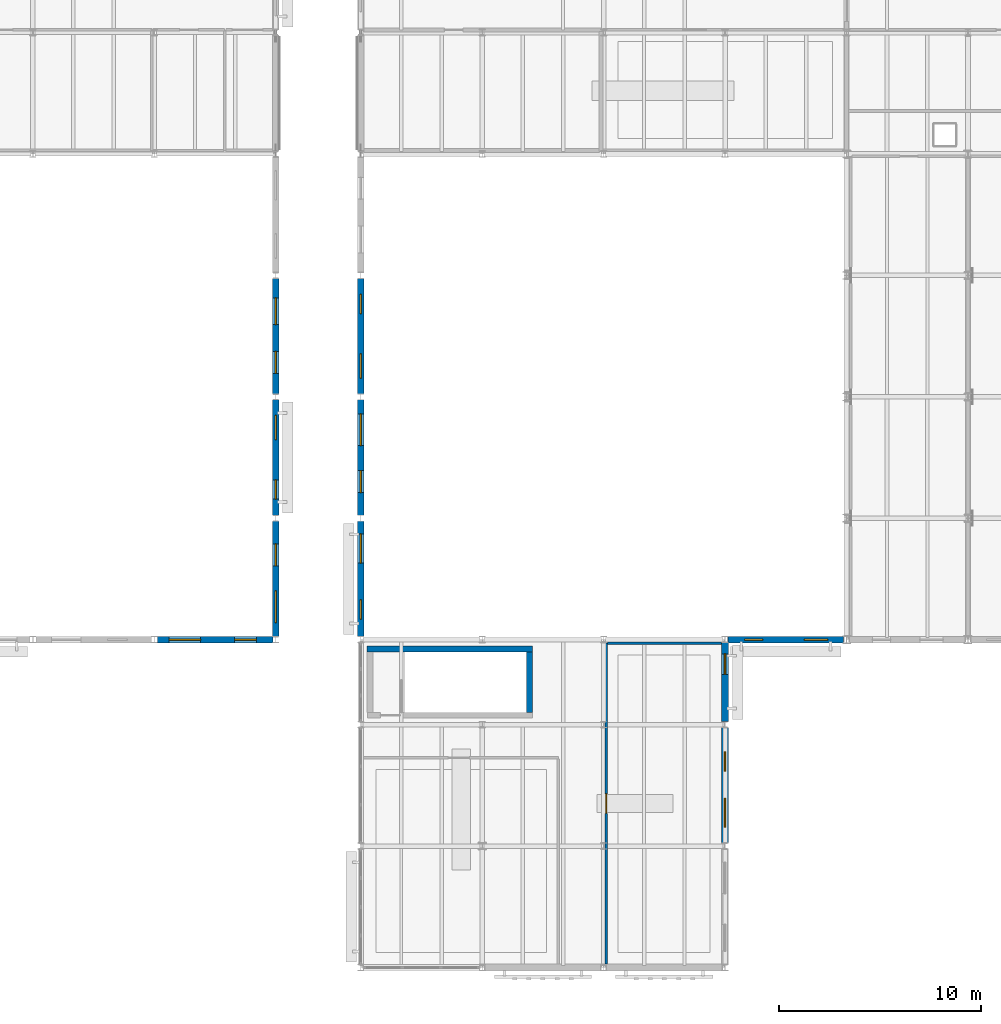
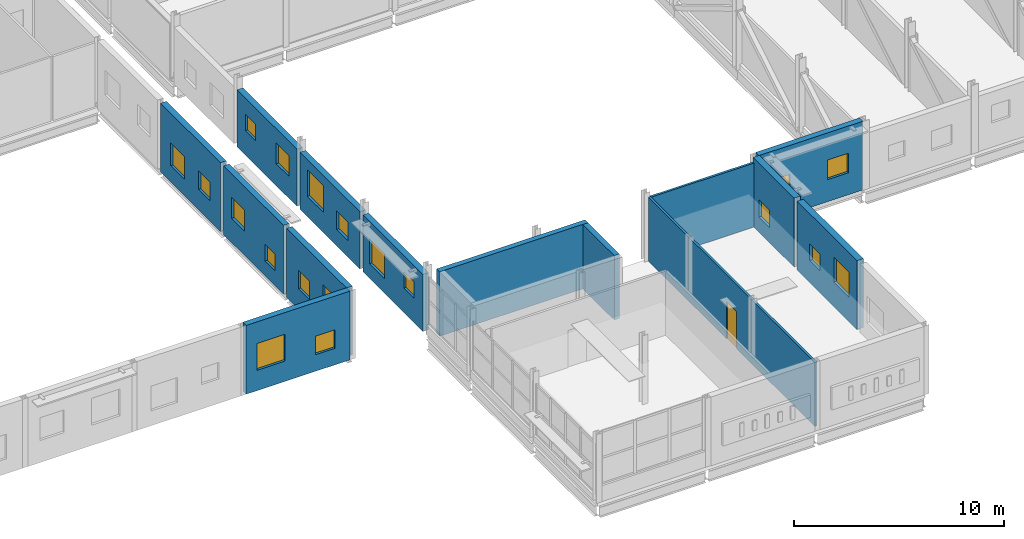
# One storey, part 64 of 92: 19 windows, 14 walls, 1 door, 20 openings.
"""IFC4 building model written with IfcOpenShell, lengths in metres."""

from ifc_helpers import new_model, si_unit, direction, frame, frame_2d, origin, place, context, subcontext, project, spatial, rectangle, extrude, material, layer, layer_set, type_object, element, fill, save


model = new_model("IFC4")

# Units and contexts
model_context = context("Model", 3, precision=1e-05, world=origin(), true_north=direction((0.0, 1.0)))
body_context = subcontext(model_context, "Body", "Model", "MODEL_VIEW")
ifc_project = project(units=[si_unit("LENGTHUNIT", "METRE"), si_unit("AREAUNIT", "SQUARE_METRE"), si_unit("VOLUMEUNIT", "CUBIC_METRE"), si_unit("PLANEANGLEUNIT", "RADIAN"), si_unit("MASSUNIT", "GRAM", prefix="KILO")], contexts=[model_context])

# Site, building, storey
site_placement = place(None, origin())
site = spatial("IfcSite", under=ifc_project, at=site_placement, CompositionType="ELEMENT")
building_placement = place(site_placement, origin())
building = spatial("IfcBuilding", under=site, at=building_placement, Name="Siltcreek Boulevard Central Fire Station", CompositionType="ELEMENT")
storey_placement = place(building_placement, frame((0.0, 0.0, 6.0)))
storey = spatial("IfcBuildingStorey", under=building, at=storey_placement, Name="L02", CompositionType="ELEMENT", Elevation=6.0)

# Walls
ifc_material_1 = material(Name="Concrete C40/50", Category="concrete")
ifc_layer_1 = layer(ifc_material_1, 0.280029296875, Name="Concrete C40/50")
ifc_layer_set_1 = layer_set([ifc_layer_1], Name="Concrete C40/50")
wall_type_1 = type_object("IfcWallType", Name="CW_SHEAR280", PredefinedType="SHEAR", material=ifc_layer_set_1)
wall_1_placement = place(storey_placement, frame((50.47998046875, 17.5400390625, 0.0), z_axis=(0.0, 0.0, 1.0), x_axis=(-1.0, 0.0, 0.0)))
element("IfcWall", 1, at=wall_1_placement, inside=storey, type_object=wall_type_1, Name="L02 ST-V1P stair enclosure north shear wall", PredefinedType="SHEAR", context=body_context, shape_type="SweptSolid", body=[
    extrude(rectangle(XDim=8.159912109375, YDim=0.280029296875, at=frame_2d((4.080078125, 0.0))), origin(), (0.0, 0.0, 1.0), 3.75),
])
wall_2_placement = place(storey_placement, frame((50.340087890625, 14.39990234375, 0.0), z_axis=(0.0, 0.0, 1.0), x_axis=(0.0, 1.0, 0.0)))
element("IfcWall", 2, at=wall_2_placement, inside=storey, type_object=wall_type_1, Name="L02 ST-V1P stair enclosure east shear wall", PredefinedType="SHEAR", context=body_context, shape_type="SweptSolid", body=[
    extrude(rectangle(XDim=3.0, YDim=0.280029296875, at=frame_2d((1.5, 0.0))), origin(), (0.0, 0.0, 1.0), 3.75),
])

# Wall, openings, windows
ifc_material_2 = material(Name="Terracotta brick rainscreen on steel stud", Category="masonry")
ifc_layer_2 = layer(ifc_material_2, 0.35009765625, Name="Terracotta brick rainscreen on steel stud")
ifc_layer_set_2 = layer_set([ifc_layer_2], Name="Terracotta brick rainscreen on steel stud")
wall_type_2 = type_object("IfcWallType", Name="EW_BRICK350", PredefinedType="STANDARD", material=ifc_layer_set_2)
wall_3_placement = place(storey_placement, frame((60.0, 7.945068359375, 0.0), z_axis=(0.0, 0.0, 1.0), x_axis=(0.0, 1.0, 0.0)))
wall_3 = element("IfcWall", 3, at=wall_3_placement, inside=storey, type_object=wall_type_2, Name="L02 V1 exterior insulated rainscreen wall WL-EXT-L02-0047", PredefinedType="STANDARD", context=body_context, shape_type="SweptSolid", body=[
    extrude(rectangle(XDim=5.7099609375, YDim=0.35009765625, at=frame_2d((2.85498046875, 0.0))), origin(), (0.0, 0.0, 1.0), 4.0),
])
opening_1_placement = place(wall_3_placement, frame((0.7802734375, 0.0, 1.419921875)))
opening_1 = element("IfcOpeningElement", 4, at=opening_1_placement, cuts=wall_3, Name="Opening WN03", PredefinedType="OPENING", context=body_context, shape_type="SweptSolid", body=[
    extrude(rectangle(XDim=1.43994140625, YDim=1.43994140625, at=frame_2d((0.719970703125, 0.719970703125))), frame((0.0, 0.18505859375, 0.0), z_axis=(0.0, -1.0, 0.0), x_axis=(1.0, 0.0, 0.0)), (0.0, 0.0, 1.0), 0.3701171875),
])
opening_2_placement = place(wall_3_placement, frame((3.54638671875, 0.0, 1.280029296875)))
opening_2 = element("IfcOpeningElement", 5, at=opening_2_placement, cuts=wall_3, Name="Opening WN06", PredefinedType="OPENING", context=body_context, shape_type="SweptSolid", body=[
    extrude(rectangle(XDim=0.9599609375, YDim=0.9599609375, at=frame_2d((0.47998046875, 0.47998046875))), frame((0.0, 0.18505859375, 0.0), z_axis=(0.0, -1.0, 0.0), x_axis=(1.0, 0.0, 0.0)), (0.0, 0.0, 1.0), 0.3701171875),
])
ifc_material_3 = material(Name="Thermally broken aluminum frame with low-E insulated glass", Category="aluminium")
window_type_1 = type_object("IfcWindowType", Name="WN_SQ_096X096", PartitioningType="SINGLE_PANEL", PredefinedType="WINDOW", material=ifc_material_3)
window_1_placement = place(opening_2_placement, origin())
window_1 = element("IfcWindow", 6, at=window_1_placement, inside=storey, type_object=window_type_1, Name="L02 V1 square exterior window WN-0031", OverallHeight=0.9599609375, OverallWidth=0.9599609375, PartitioningType="SINGLE_PANEL", PredefinedType="WINDOW", context=body_context, shape_type="SweptSolid", body=[
    extrude(rectangle(XDim=0.9599609375, YDim=0.9599609375, at=frame_2d((0.47998046875, 0.47998046875))), frame((0.0, 0.030029296875, 0.0), z_axis=(0.0, -1.0, 0.0), x_axis=(1.0, 0.0, 0.0)), (0.0, 0.0, 1.0), 0.06005859375),
])
fill(opening_2, window_1)
window_type_2 = type_object("IfcWindowType", Name="WN_SQ_144X144", PartitioningType="SINGLE_PANEL", PredefinedType="WINDOW", material=ifc_material_3)
window_2_placement = place(opening_1_placement, origin())
window_2 = element("IfcWindow", 7, at=window_2_placement, inside=storey, type_object=window_type_2, Name="L02 V1 square exterior window WN-0030", OverallHeight=1.43994140625, OverallWidth=1.43994140625, PartitioningType="SINGLE_PANEL", PredefinedType="WINDOW", context=body_context, shape_type="SweptSolid", body=[
    extrude(rectangle(XDim=1.43994140625, YDim=1.43994140625, at=frame_2d((0.719970703125, 0.719970703125))), frame((0.0, 0.030029296875, 0.0), z_axis=(0.0, -1.0, 0.0), x_axis=(1.0, 0.0, 0.0)), (0.0, 0.0, 1.0), 0.06005859375),
])
fill(opening_1, window_2)

# Wall, opening, window
wall_4_placement = place(storey_placement, frame((60.0, 13.945068359375, 0.0), z_axis=(0.0, 0.0, 1.0), x_axis=(0.0, 1.0, 0.0)))
wall_4 = element("IfcWall", 8, at=wall_4_placement, inside=storey, type_object=wall_type_2, Name="L02 V1 exterior insulated rainscreen wall WL-EXT-L02-0048", PredefinedType="STANDARD", context=body_context, shape_type="SweptSolid", body=[
    extrude(rectangle(XDim=3.909912109375, YDim=0.35009765625, at=frame_2d((1.955078125, 0.0))), origin(), (0.0, 0.0, 1.0), 4.0),
])
opening_3_placement = place(wall_4_placement, frame((2.338623046875, 0.0, 0.860107421875)))
opening_3 = element("IfcOpeningElement", 9, at=opening_3_placement, cuts=wall_4, Name="Opening WN38", PredefinedType="OPENING", context=body_context, shape_type="SweptSolid", body=[
    extrude(rectangle(XDim=1.02001953125, YDim=1.02001953125, at=frame_2d((0.510009765625, 0.510009765625))), frame((0.0, 0.18505859375, 0.0), z_axis=(0.0, -1.0, 0.0), x_axis=(1.0, 0.0, 0.0)), (0.0, 0.0, 1.0), 0.3701171875),
])
window_type_3 = type_object("IfcWindowType", Name="WN_SQ_102X102", PartitioningType="SINGLE_PANEL", PredefinedType="WINDOW", material=ifc_material_3)
window_3_placement = place(opening_3_placement, origin())
window_3 = element("IfcWindow", 10, at=window_3_placement, inside=storey, type_object=window_type_3, Name="L02 V1 square exterior window WN-0032", OverallHeight=1.02001953125, OverallWidth=1.02001953125, PartitioningType="SINGLE_PANEL", PredefinedType="WINDOW", context=body_context, shape_type="SweptSolid", body=[
    extrude(rectangle(XDim=1.02001953125, YDim=1.02001953125, at=frame_2d((0.510009765625, 0.510009765625))), frame((0.0, 0.030029296875, 0.0), z_axis=(0.0, -1.0, 0.0), x_axis=(1.0, 0.0, 0.0)), (0.0, 0.0, 1.0), 0.06005859375),
])
fill(opening_3, window_3)

# Wall, openings, windows
ifc_material_4 = material(Name="White ribbed aluminum insulated rainscreen panel", Category="aluminium")
ifc_layer_3 = layer(ifc_material_4, 0.320068359375, Name="White ribbed aluminum insulated rainscreen panel")
ifc_layer_set_3 = layer_set([ifc_layer_3], Name="White ribbed aluminum insulated rainscreen panel")
wall_type_3 = type_object("IfcWallType", Name="EW_METAL320", PredefinedType="STANDARD", material=ifc_layer_set_3)
wall_5_placement = place(storey_placement, frame((60.14501953125, 18.0, 0.0), z_axis=(0.0, 0.0, 1.0), x_axis=(1.0, 0.0, 0.0)))
wall_5 = element("IfcWall", 11, at=wall_5_placement, inside=storey, type_object=wall_type_3, Name="L02 V1 exterior insulated rainscreen wall WL-EXT-L02-0032", PredefinedType="STANDARD", context=body_context, shape_type="SweptSolid", body=[
    extrude(rectangle(XDim=5.7099609375, YDim=0.320068359375, at=frame_2d((2.85498046875, 0.0))), origin(), (0.0, 0.0, 1.0), 4.0),
])
opening_4_placement = place(wall_5_placement, frame((0.81689453125, 0.0, 1.419921875)))
opening_4 = element("IfcOpeningElement", 12, at=opening_4_placement, cuts=wall_5, Name="Opening WN37", PredefinedType="OPENING", context=body_context, shape_type="SweptSolid", body=[
    extrude(rectangle(XDim=0.89990234375, YDim=0.89990234375, at=frame_2d((0.449951171875, 0.449951171875))), frame((0.0, 0.169921875, 0.0), z_axis=(0.0, -1.0, 0.0), x_axis=(1.0, 0.0, 0.0)), (0.0, 0.0, 1.0), 0.340087890625),
])
opening_5_placement = place(wall_5_placement, frame((3.777099609375, 0.0, 1.280029296875)))
opening_5 = element("IfcOpeningElement", 13, at=opening_5_placement, cuts=wall_5, Name="Opening WN39", PredefinedType="OPENING", context=body_context, shape_type="SweptSolid", body=[
    extrude(rectangle(XDim=1.139892578125, YDim=1.139892578125, at=frame_2d((0.56982421875, 0.56982421875))), frame((0.0, 0.169921875, 0.0), z_axis=(0.0, -1.0, 0.0), x_axis=(1.0, 0.0, 0.0)), (0.0, 0.0, 1.0), 0.340087890625),
])
window_type_4 = type_object("IfcWindowType", Name="WN_SQ_090X090", PartitioningType="SINGLE_PANEL", PredefinedType="WINDOW", material=ifc_material_3)
window_4_placement = place(opening_4_placement, origin())
window_4 = element("IfcWindow", 14, at=window_4_placement, inside=storey, type_object=window_type_4, Name="L02 V1 square exterior window WN-0009", OverallHeight=0.89990234375, OverallWidth=0.89990234375, PartitioningType="SINGLE_PANEL", PredefinedType="WINDOW", context=body_context, shape_type="SweptSolid", body=[
    extrude(rectangle(XDim=0.89990234375, YDim=0.89990234375, at=frame_2d((0.449951171875, 0.449951171875))), frame((0.0, 0.030029296875, 0.0), z_axis=(0.0, -1.0, 0.0), x_axis=(1.0, 0.0, 0.0)), (0.0, 0.0, 1.0), 0.06005859375),
])
fill(opening_4, window_4)
window_type_5 = type_object("IfcWindowType", Name="WN_SQ_114X114", PartitioningType="SINGLE_PANEL", PredefinedType="WINDOW", material=ifc_material_3)
window_5_placement = place(opening_5_placement, origin())
window_5 = element("IfcWindow", 15, at=window_5_placement, inside=storey, type_object=window_type_5, Name="L02 V1 square exterior window WN-0010", OverallHeight=1.139892578125, OverallWidth=1.139892578125, PartitioningType="SINGLE_PANEL", PredefinedType="WINDOW", context=body_context, shape_type="SweptSolid", body=[
    extrude(rectangle(XDim=1.139892578125, YDim=1.139892578125, at=frame_2d((0.56982421875, 0.56982421875))), frame((0.0, 0.030029296875, 0.0), z_axis=(0.0, -1.0, 0.0), x_axis=(1.0, 0.0, 0.0)), (0.0, 0.0, 1.0), 0.06005859375),
])
fill(opening_5, window_5)

wall_6_placement = place(storey_placement, frame((42.0, 23.85498046875, 0.0), z_axis=(0.0, 0.0, 1.0), x_axis=(0.0, -1.0, 0.0)))
wall_6 = element("IfcWall", 16, at=wall_6_placement, inside=storey, type_object=wall_type_3, Name="L02 V1 exterior insulated rainscreen wall WL-EXT-L02-0040", PredefinedType="STANDARD", context=body_context, shape_type="SweptSolid", body=[
    extrude(rectangle(XDim=5.7099609375, YDim=0.320068359375, at=frame_2d((2.85498046875, 0.0))), origin(), (0.0, 0.0, 1.0), 3.318115234375),
])
opening_6_placement = place(wall_6_placement, frame((0.6279296875, 0.0, 0.860107421875)))
opening_6 = element("IfcOpeningElement", 17, at=opening_6_placement, cuts=wall_6, Name="Opening WN03", PredefinedType="OPENING", context=body_context, shape_type="SweptSolid", body=[
    extrude(rectangle(XDim=1.43994140625, YDim=1.43994140625, at=frame_2d((0.719970703125, 0.719970703125))), frame((0.0, 0.169921875, 0.0), z_axis=(0.0, -1.0, 0.0), x_axis=(1.0, 0.0, 0.0)), (0.0, 0.0, 1.0), 0.340087890625),
])
opening_7_placement = place(wall_6_placement, frame((3.894287109375, 0.0, 1.419921875)))
opening_7 = element("IfcOpeningElement", 18, at=opening_7_placement, cuts=wall_6, Name="Opening WN06", PredefinedType="OPENING", context=body_context, shape_type="SweptSolid", body=[
    extrude(rectangle(XDim=0.9599609375, YDim=0.9599609375, at=frame_2d((0.47998046875, 0.47998046875))), frame((0.0, 0.169921875, 0.0), z_axis=(0.0, -1.0, 0.0), x_axis=(1.0, 0.0, 0.0)), (0.0, 0.0, 1.0), 0.340087890625),
])
window_6_placement = place(opening_7_placement, origin())
window_6 = element("IfcWindow", 19, at=window_6_placement, inside=storey, type_object=window_type_1, Name="L02 V1 square exterior window WN-0019", OverallHeight=0.9599609375, OverallWidth=0.9599609375, PartitioningType="SINGLE_PANEL", PredefinedType="WINDOW", context=body_context, shape_type="SweptSolid", body=[
    extrude(rectangle(XDim=0.9599609375, YDim=0.9599609375, at=frame_2d((0.47998046875, 0.47998046875))), frame((0.0, 0.030029296875, 0.0), z_axis=(0.0, -1.0, 0.0), x_axis=(1.0, 0.0, 0.0)), (0.0, 0.0, 1.0), 0.06005859375),
])
fill(opening_7, window_6)
window_7_placement = place(opening_6_placement, origin())
window_7 = element("IfcWindow", 20, at=window_7_placement, inside=storey, type_object=window_type_2, Name="L02 V1 square exterior window WN-0018", OverallHeight=1.43994140625, OverallWidth=1.43994140625, PartitioningType="SINGLE_PANEL", PredefinedType="WINDOW", context=body_context, shape_type="SweptSolid", body=[
    extrude(rectangle(XDim=1.43994140625, YDim=1.43994140625, at=frame_2d((0.719970703125, 0.719970703125))), frame((0.0, 0.030029296875, 0.0), z_axis=(0.0, -1.0, 0.0), x_axis=(1.0, 0.0, 0.0)), (0.0, 0.0, 1.0), 0.06005859375),
])
fill(opening_6, window_7)

wall_7_placement = place(storey_placement, frame((42.0, 29.85498046875, 0.0), z_axis=(0.0, 0.0, 1.0), x_axis=(0.0, -1.0, 0.0)))
wall_7 = element("IfcWall", 21, at=wall_7_placement, inside=storey, type_object=wall_type_3, Name="L02 V1 exterior insulated rainscreen wall WL-EXT-L02-0041", PredefinedType="STANDARD", context=body_context, shape_type="SweptSolid", body=[
    extrude(rectangle(XDim=5.7099609375, YDim=0.320068359375, at=frame_2d((2.85498046875, 0.0))), origin(), (0.0, 0.0, 1.0), 3.318115234375),
])
opening_8_placement = place(wall_7_placement, frame((0.702392578125, 0.0, 1.179931640625)))
opening_8 = element("IfcOpeningElement", 22, at=opening_8_placement, cuts=wall_7, Name="Opening WN04", PredefinedType="OPENING", context=body_context, shape_type="SweptSolid", body=[
    extrude(rectangle(XDim=1.56005859375, YDim=1.56005859375, at=frame_2d((0.780029296875, 0.780029296875))), frame((0.0, 0.169921875, 0.0), z_axis=(0.0, -1.0, 0.0), x_axis=(1.0, 0.0, 0.0)), (0.0, 0.0, 1.0), 0.340087890625),
])
opening_9_placement = place(wall_7_placement, frame((3.50439453125, 0.0, 0.9599609375)))
opening_9 = element("IfcOpeningElement", 23, at=opening_9_placement, cuts=wall_7, Name="Opening WN05", PredefinedType="OPENING", context=body_context, shape_type="SweptSolid", body=[
    extrude(rectangle(XDim=1.080078125, YDim=1.080078125, at=frame_2d((0.5400390625, 0.5400390625))), frame((0.0, 0.169921875, 0.0), z_axis=(0.0, -1.0, 0.0), x_axis=(1.0, 0.0, 0.0)), (0.0, 0.0, 1.0), 0.340087890625),
])
window_type_6 = type_object("IfcWindowType", Name="WN_SQ_108X108", PartitioningType="SINGLE_PANEL", PredefinedType="WINDOW", material=ifc_material_3)
window_8_placement = place(opening_9_placement, origin())
window_8 = element("IfcWindow", 24, at=window_8_placement, inside=storey, type_object=window_type_6, Name="L02 V1 square exterior window WN-0021", OverallHeight=1.080078125, OverallWidth=1.080078125, PartitioningType="SINGLE_PANEL", PredefinedType="WINDOW", context=body_context, shape_type="SweptSolid", body=[
    extrude(rectangle(XDim=1.080078125, YDim=1.080078125, at=frame_2d((0.5400390625, 0.5400390625))), frame((0.0, 0.030029296875, 0.0), z_axis=(0.0, -1.0, 0.0), x_axis=(1.0, 0.0, 0.0)), (0.0, 0.0, 1.0), 0.06005859375),
])
fill(opening_9, window_8)
window_type_7 = type_object("IfcWindowType", Name="WN_SQ_156X156", PartitioningType="SINGLE_PANEL", PredefinedType="WINDOW", material=ifc_material_3)
window_9_placement = place(opening_8_placement, origin())
window_9 = element("IfcWindow", 25, at=window_9_placement, inside=storey, type_object=window_type_7, Name="L02 V1 square exterior window WN-0020", OverallHeight=1.56005859375, OverallWidth=1.56005859375, PartitioningType="SINGLE_PANEL", PredefinedType="WINDOW", context=body_context, shape_type="SweptSolid", body=[
    extrude(rectangle(XDim=1.56005859375, YDim=1.56005859375, at=frame_2d((0.780029296875, 0.780029296875))), frame((0.0, 0.030029296875, 0.0), z_axis=(0.0, -1.0, 0.0), x_axis=(1.0, 0.0, 0.0)), (0.0, 0.0, 1.0), 0.06005859375),
])
fill(opening_8, window_9)

wall_8_placement = place(storey_placement, frame((42.0, 35.85498046875, 0.0), z_axis=(0.0, 0.0, 1.0), x_axis=(0.0, -1.0, 0.0)))
wall_8 = element("IfcWall", 26, at=wall_8_placement, inside=storey, type_object=wall_type_3, Name="L02 V1 exterior insulated rainscreen wall WL-EXT-L02-0042", PredefinedType="STANDARD", context=body_context, shape_type="SweptSolid", body=[
    extrude(rectangle(XDim=5.7099609375, YDim=0.320068359375, at=frame_2d((2.85498046875, 0.0))), origin(), (0.0, 0.0, 1.0), 3.318115234375),
])
opening_10_placement = place(wall_8_placement, frame((0.7958984375, 0.0, 1.419921875)))
opening_10 = element("IfcOpeningElement", 27, at=opening_10_placement, cuts=wall_8, Name="Opening WN06", PredefinedType="OPENING", context=body_context, shape_type="SweptSolid", body=[
    extrude(rectangle(XDim=0.9599609375, YDim=0.9599609375, at=frame_2d((0.47998046875, 0.47998046875))), frame((0.0, 0.169921875, 0.0), z_axis=(0.0, -1.0, 0.0), x_axis=(1.0, 0.0, 0.0)), (0.0, 0.0, 1.0), 0.340087890625),
])
opening_11_placement = place(wall_8_placement, frame((3.73828125, 0.0, 1.280029296875)))
opening_11 = element("IfcOpeningElement", 28, at=opening_11_placement, cuts=wall_8, Name="Opening WN01", PredefinedType="OPENING", context=body_context, shape_type="SweptSolid", body=[
    extrude(rectangle(XDim=1.199951171875, YDim=1.199951171875, at=frame_2d((0.60009765625, 0.60009765625))), frame((0.0, 0.169921875, 0.0), z_axis=(0.0, -1.0, 0.0), x_axis=(1.0, 0.0, 0.0)), (0.0, 0.0, 1.0), 0.340087890625),
])
window_10_placement = place(opening_10_placement, origin())
window_10 = element("IfcWindow", 29, at=window_10_placement, inside=storey, type_object=window_type_1, Name="L02 V1 square exterior window WN-0022", OverallHeight=0.9599609375, OverallWidth=0.9599609375, PartitioningType="SINGLE_PANEL", PredefinedType="WINDOW", context=body_context, shape_type="SweptSolid", body=[
    extrude(rectangle(XDim=0.9599609375, YDim=0.9599609375, at=frame_2d((0.47998046875, 0.47998046875))), frame((0.0, 0.030029296875, 0.0), z_axis=(0.0, -1.0, 0.0), x_axis=(1.0, 0.0, 0.0)), (0.0, 0.0, 1.0), 0.06005859375),
])
fill(opening_10, window_10)
window_type_8 = type_object("IfcWindowType", Name="WN_SQ_120X120", PartitioningType="SINGLE_PANEL", PredefinedType="WINDOW", material=ifc_material_3)
window_11_placement = place(opening_11_placement, origin())
window_11 = element("IfcWindow", 30, at=window_11_placement, inside=storey, type_object=window_type_8, Name="L02 V1 square exterior window WN-0023", OverallHeight=1.199951171875, OverallWidth=1.199951171875, PartitioningType="SINGLE_PANEL", PredefinedType="WINDOW", context=body_context, shape_type="SweptSolid", body=[
    extrude(rectangle(XDim=1.199951171875, YDim=1.199951171875, at=frame_2d((0.60009765625, 0.60009765625))), frame((0.0, 0.030029296875, 0.0), z_axis=(0.0, -1.0, 0.0), x_axis=(1.0, 0.0, 0.0)), (0.0, 0.0, 1.0), 0.06005859375),
])
fill(opening_11, window_11)

wall_9_placement = place(storey_placement, frame((31.945068359375, 18.0, 0.0), z_axis=(0.0, 0.0, 1.0), x_axis=(1.0, 0.0, 0.0)))
wall_9 = element("IfcWall", 31, at=wall_9_placement, inside=storey, type_object=wall_type_3, Name="L02 V4 exterior insulated rainscreen wall WL-EXT-L02-0252", PredefinedType="STANDARD", context=body_context, shape_type="SweptSolid", body=[
    extrude(rectangle(XDim=5.7099609375, YDim=0.320068359375, at=frame_2d((2.85498046875, 0.0))), origin(), (0.0, 0.0, 1.0), 4.0),
])
opening_12_placement = place(wall_9_placement, frame((0.5859375, 0.0, 1.179931640625)))
opening_12 = element("IfcOpeningElement", 32, at=opening_12_placement, cuts=wall_9, Name="Opening WN04", PredefinedType="OPENING", context=body_context, shape_type="SweptSolid", body=[
    extrude(rectangle(XDim=1.56005859375, YDim=1.56005859375, at=frame_2d((0.780029296875, 0.780029296875))), frame((0.0, 0.169921875, 0.0), z_axis=(0.0, -1.0, 0.0), x_axis=(1.0, 0.0, 0.0)), (0.0, 0.0, 1.0), 0.340087890625),
])
opening_13_placement = place(wall_9_placement, frame((3.816162109375, 0.0, 0.9599609375)))
opening_13 = element("IfcOpeningElement", 33, at=opening_13_placement, cuts=wall_9, Name="Opening WN05", PredefinedType="OPENING", context=body_context, shape_type="SweptSolid", body=[
    extrude(rectangle(XDim=1.080078125, YDim=1.080078125, at=frame_2d((0.5400390625, 0.5400390625))), frame((0.0, 0.169921875, 0.0), z_axis=(0.0, -1.0, 0.0), x_axis=(1.0, 0.0, 0.0)), (0.0, 0.0, 1.0), 0.340087890625),
])
window_12_placement = place(opening_13_placement, origin())
window_12 = element("IfcWindow", 34, at=window_12_placement, inside=storey, type_object=window_type_6, Name="L02 V4 square exterior window WN-0114", OverallHeight=1.080078125, OverallWidth=1.080078125, PartitioningType="SINGLE_PANEL", PredefinedType="WINDOW", context=body_context, shape_type="SweptSolid", body=[
    extrude(rectangle(XDim=1.080078125, YDim=1.080078125, at=frame_2d((0.5400390625, 0.5400390625))), frame((0.0, 0.030029296875, 0.0), z_axis=(0.0, -1.0, 0.0), x_axis=(1.0, 0.0, 0.0)), (0.0, 0.0, 1.0), 0.06005859375),
])
fill(opening_13, window_12)
window_13_placement = place(opening_12_placement, origin())
window_13 = element("IfcWindow", 35, at=window_13_placement, inside=storey, type_object=window_type_7, Name="L02 V4 square exterior window WN-0113", OverallHeight=1.56005859375, OverallWidth=1.56005859375, PartitioningType="SINGLE_PANEL", PredefinedType="WINDOW", context=body_context, shape_type="SweptSolid", body=[
    extrude(rectangle(XDim=1.56005859375, YDim=1.56005859375, at=frame_2d((0.780029296875, 0.780029296875))), frame((0.0, 0.030029296875, 0.0), z_axis=(0.0, -1.0, 0.0), x_axis=(1.0, 0.0, 0.0)), (0.0, 0.0, 1.0), 0.06005859375),
])
fill(opening_12, window_13)

wall_10_placement = place(storey_placement, frame((37.800048828125, 18.14501953125, 0.0), z_axis=(0.0, 0.0, 1.0), x_axis=(0.0, 1.0, 0.0)))
wall_10 = element("IfcWall", 36, at=wall_10_placement, inside=storey, type_object=wall_type_3, Name="L02 V4 exterior insulated rainscreen wall WL-EXT-L02-0265", PredefinedType="STANDARD", context=body_context, shape_type="SweptSolid", body=[
    extrude(rectangle(XDim=5.7099609375, YDim=0.320068359375, at=frame_2d((2.85498046875, 0.0))), origin(), (0.0, 0.0, 1.0), 4.0),
])
opening_14_placement = place(wall_10_placement, frame((0.702392578125, 0.0, 1.280029296875)))
opening_14 = element("IfcOpeningElement", 37, at=opening_14_placement, cuts=wall_10, Name="Opening WN04", PredefinedType="OPENING", context=body_context, shape_type="SweptSolid", body=[
    extrude(rectangle(XDim=1.56005859375, YDim=1.56005859375, at=frame_2d((0.780029296875, 0.780029296875))), frame((0.0, 0.169921875, 0.0), z_axis=(0.0, -1.0, 0.0), x_axis=(1.0, 0.0, 0.0)), (0.0, 0.0, 1.0), 0.340087890625),
])
opening_15_placement = place(wall_10_placement, frame((3.50439453125, 0.0, 1.179931640625)))
opening_15 = element("IfcOpeningElement", 38, at=opening_15_placement, cuts=wall_10, Name="Opening WN05", PredefinedType="OPENING", context=body_context, shape_type="SweptSolid", body=[
    extrude(rectangle(XDim=1.080078125, YDim=1.080078125, at=frame_2d((0.5400390625, 0.5400390625))), frame((0.0, 0.169921875, 0.0), z_axis=(0.0, -1.0, 0.0), x_axis=(1.0, 0.0, 0.0)), (0.0, 0.0, 1.0), 0.340087890625),
])
window_14_placement = place(opening_15_placement, origin())
window_14 = element("IfcWindow", 39, at=window_14_placement, inside=storey, type_object=window_type_6, Name="L02 V4 square exterior window WN-0138", OverallHeight=1.080078125, OverallWidth=1.080078125, PartitioningType="SINGLE_PANEL", PredefinedType="WINDOW", context=body_context, shape_type="SweptSolid", body=[
    extrude(rectangle(XDim=1.080078125, YDim=1.080078125, at=frame_2d((0.5400390625, 0.5400390625))), frame((0.0, 0.030029296875, 0.0), z_axis=(0.0, -1.0, 0.0), x_axis=(1.0, 0.0, 0.0)), (0.0, 0.0, 1.0), 0.06005859375),
])
fill(opening_15, window_14)
window_15_placement = place(opening_14_placement, origin())
window_15 = element("IfcWindow", 40, at=window_15_placement, inside=storey, type_object=window_type_7, Name="L02 V4 square exterior window WN-0137", OverallHeight=1.56005859375, OverallWidth=1.56005859375, PartitioningType="SINGLE_PANEL", PredefinedType="WINDOW", context=body_context, shape_type="SweptSolid", body=[
    extrude(rectangle(XDim=1.56005859375, YDim=1.56005859375, at=frame_2d((0.780029296875, 0.780029296875))), frame((0.0, 0.030029296875, 0.0), z_axis=(0.0, -1.0, 0.0), x_axis=(1.0, 0.0, 0.0)), (0.0, 0.0, 1.0), 0.06005859375),
])
fill(opening_14, window_15)

wall_11_placement = place(storey_placement, frame((37.800048828125, 24.14501953125, 0.0), z_axis=(0.0, 0.0, 1.0), x_axis=(0.0, 1.0, 0.0)))
wall_11 = element("IfcWall", 41, at=wall_11_placement, inside=storey, type_object=wall_type_3, Name="L02 V4 exterior insulated rainscreen wall WL-EXT-L02-0266", PredefinedType="STANDARD", context=body_context, shape_type="SweptSolid", body=[
    extrude(rectangle(XDim=5.7099609375, YDim=0.320068359375, at=frame_2d((2.85498046875, 0.0))), origin(), (0.0, 0.0, 1.0), 4.0),
])
opening_16_placement = place(wall_11_placement, frame((0.7958984375, 0.0, 0.860107421875)))
opening_16 = element("IfcOpeningElement", 42, at=opening_16_placement, cuts=wall_11, Name="Opening WN06", PredefinedType="OPENING", context=body_context, shape_type="SweptSolid", body=[
    extrude(rectangle(XDim=0.9599609375, YDim=0.9599609375, at=frame_2d((0.47998046875, 0.47998046875))), frame((0.0, 0.169921875, 0.0), z_axis=(0.0, -1.0, 0.0), x_axis=(1.0, 0.0, 0.0)), (0.0, 0.0, 1.0), 0.340087890625),
])
opening_17_placement = place(wall_11_placement, frame((3.73828125, 0.0, 1.419921875)))
opening_17 = element("IfcOpeningElement", 43, at=opening_17_placement, cuts=wall_11, Name="Opening WN01", PredefinedType="OPENING", context=body_context, shape_type="SweptSolid", body=[
    extrude(rectangle(XDim=1.199951171875, YDim=1.199951171875, at=frame_2d((0.60009765625, 0.60009765625))), frame((0.0, 0.169921875, 0.0), z_axis=(0.0, -1.0, 0.0), x_axis=(1.0, 0.0, 0.0)), (0.0, 0.0, 1.0), 0.340087890625),
])
window_16_placement = place(opening_16_placement, origin())
window_16 = element("IfcWindow", 44, at=window_16_placement, inside=storey, type_object=window_type_1, Name="L02 V4 square exterior window WN-0139", OverallHeight=0.9599609375, OverallWidth=0.9599609375, PartitioningType="SINGLE_PANEL", PredefinedType="WINDOW", context=body_context, shape_type="SweptSolid", body=[
    extrude(rectangle(XDim=0.9599609375, YDim=0.9599609375, at=frame_2d((0.47998046875, 0.47998046875))), frame((0.0, 0.030029296875, 0.0), z_axis=(0.0, -1.0, 0.0), x_axis=(1.0, 0.0, 0.0)), (0.0, 0.0, 1.0), 0.06005859375),
])
fill(opening_16, window_16)
window_17_placement = place(opening_17_placement, origin())
window_17 = element("IfcWindow", 45, at=window_17_placement, inside=storey, type_object=window_type_8, Name="L02 V4 square exterior window WN-0140", OverallHeight=1.199951171875, OverallWidth=1.199951171875, PartitioningType="SINGLE_PANEL", PredefinedType="WINDOW", context=body_context, shape_type="SweptSolid", body=[
    extrude(rectangle(XDim=1.199951171875, YDim=1.199951171875, at=frame_2d((0.60009765625, 0.60009765625))), frame((0.0, 0.030029296875, 0.0), z_axis=(0.0, -1.0, 0.0), x_axis=(1.0, 0.0, 0.0)), (0.0, 0.0, 1.0), 0.06005859375),
])
fill(opening_17, window_17)

wall_12_placement = place(storey_placement, frame((37.800048828125, 30.14501953125, 0.0), z_axis=(0.0, 0.0, 1.0), x_axis=(0.0, 1.0, 0.0)))
wall_12 = element("IfcWall", 46, at=wall_12_placement, inside=storey, type_object=wall_type_3, Name="L02 V4 exterior insulated rainscreen wall WL-EXT-L02-0267", PredefinedType="STANDARD", context=body_context, shape_type="SweptSolid", body=[
    extrude(rectangle(XDim=5.7099609375, YDim=0.320068359375, at=frame_2d((2.85498046875, 0.0))), origin(), (0.0, 0.0, 1.0), 4.0),
])
opening_18_placement = place(wall_12_placement, frame((1.014404296875, 0.0, 1.179931640625)))
opening_18 = element("IfcOpeningElement", 47, at=opening_18_placement, cuts=wall_12, Name="Opening WN05", PredefinedType="OPENING", context=body_context, shape_type="SweptSolid", body=[
    extrude(rectangle(XDim=1.080078125, YDim=1.080078125, at=frame_2d((0.5400390625, 0.5400390625))), frame((0.0, 0.169921875, 0.0), z_axis=(0.0, -1.0, 0.0), x_axis=(1.0, 0.0, 0.0)), (0.0, 0.0, 1.0), 0.340087890625),
])
opening_19_placement = place(wall_12_placement, frame((3.42041015625, 0.0, 0.9599609375)))
opening_19 = element("IfcOpeningElement", 48, at=opening_19_placement, cuts=wall_12, Name="Opening WN02", PredefinedType="OPENING", context=body_context, shape_type="SweptSolid", body=[
    extrude(rectangle(XDim=1.320068359375, YDim=1.320068359375, at=frame_2d((0.66015625, 0.66015625))), frame((0.0, 0.169921875, 0.0), z_axis=(0.0, -1.0, 0.0), x_axis=(1.0, 0.0, 0.0)), (0.0, 0.0, 1.0), 0.340087890625),
])
window_18_placement = place(opening_18_placement, origin())
window_18 = element("IfcWindow", 49, at=window_18_placement, inside=storey, type_object=window_type_6, Name="L02 V4 square exterior window WN-0141", OverallHeight=1.080078125, OverallWidth=1.080078125, PartitioningType="SINGLE_PANEL", PredefinedType="WINDOW", context=body_context, shape_type="SweptSolid", body=[
    extrude(rectangle(XDim=1.080078125, YDim=1.080078125, at=frame_2d((0.5400390625, 0.5400390625))), frame((0.0, 0.030029296875, 0.0), z_axis=(0.0, -1.0, 0.0), x_axis=(1.0, 0.0, 0.0)), (0.0, 0.0, 1.0), 0.06005859375),
])
fill(opening_18, window_18)
window_type_9 = type_object("IfcWindowType", Name="WN_SQ_132X132", PartitioningType="SINGLE_PANEL", PredefinedType="WINDOW", material=ifc_material_3)
window_19_placement = place(opening_19_placement, origin())
window_19 = element("IfcWindow", 50, at=window_19_placement, inside=storey, type_object=window_type_9, Name="L02 V4 square exterior window WN-0142", OverallHeight=1.320068359375, OverallWidth=1.320068359375, PartitioningType="SINGLE_PANEL", PredefinedType="WINDOW", context=body_context, shape_type="SweptSolid", body=[
    extrude(rectangle(XDim=1.320068359375, YDim=1.320068359375, at=frame_2d((0.66015625, 0.66015625))), frame((0.0, 0.030029296875, 0.0), z_axis=(0.0, -1.0, 0.0), x_axis=(1.0, 0.0, 0.0)), (0.0, 0.0, 1.0), 0.06005859375),
])
fill(opening_19, window_19)

# Wall, opening, door
ifc_material_5 = material(Name="Interior steel stud gypsum partition", Category="steel")
ifc_layer_4 = layer(ifc_material_5, 0.125, Name="Interior steel stud gypsum partition")
ifc_layer_set_4 = layer_set([ifc_layer_4], Name="Interior steel stud gypsum partition")
wall_type_4 = type_object("IfcWallType", Name="IW_PART125", PredefinedType="PARTITIONING", material=ifc_layer_set_4)
wall_13_placement = place(storey_placement, frame((54.1201171875, 1.97509765625, 0.0), z_axis=(0.0, 0.0, 1.0), x_axis=(0.0, 1.0, 0.0)))
wall_13 = element("IfcWall", 51, at=wall_13_placement, inside=storey, type_object=wall_type_4, Name="L02 Resilience Heritage Display Room partition 0125", PredefinedType="PARTITIONING", context=body_context, shape_type="SweptSolid", body=[
    extrude(rectangle(XDim=15.857421875, YDim=0.125, at=frame_2d((7.9287109375, 0.0))), origin(), (0.0, 0.0, 1.0), 3.719970703125),
])
opening_20_placement = place(wall_13_placement, frame((7.44873046875, 0.0, 0.0)))
opening_20 = element("IfcOpeningElement", 52, at=opening_20_placement, cuts=wall_13, Name="Opening ID02", PredefinedType="OPENING", context=body_context, shape_type="SweptSolid", body=[
    extrude(rectangle(XDim=0.9599609375, YDim=2.14990234375, at=frame_2d((0.47998046875, 1.074951171875))), frame((0.0, 0.072509765625, 0.0), z_axis=(0.0, -1.0, 0.0), x_axis=(1.0, 0.0, 0.0)), (0.0, 0.0, 1.0), 0.14501953125),
])
ifc_material_6 = material(Name="Solid-core timber headquarters office door", Category="wood")
door_type = type_object("IfcDoorType", Name="DR_OFF_096X215", OperationType="NOTDEFINED", PredefinedType="DOOR", material=ifc_material_6)
door_placement = place(opening_20_placement, frame((0.9599609375, 0.0, 0.0), z_axis=(0.0, 0.0, 1.0), x_axis=(-1.0, 0.0, 0.0)))
door = element("IfcDoor", 53, at=door_placement, inside=storey, type_object=door_type, Name="L02 Resilience Heritage Display Room door ID-0057", OperationType="SINGLE_SWING_RIGHT", OverallHeight=2.14990234375, OverallWidth=0.9599609375, PredefinedType="DOOR", context=body_context, shape_type="SweptSolid", body=[
    extrude(rectangle(XDim=0.9599609375, YDim=2.14990234375, at=frame_2d((0.47998046875, 1.074951171875))), frame((0.0, 0.02490234375, 0.0), z_axis=(0.0, -1.0, 0.0), x_axis=(1.0, 0.0, 0.0)), (0.0, 0.0, 1.0), 0.050048828125),
])
fill(opening_20, door)

# Wall
wall_14_placement = place(storey_placement, frame((54.1826171875, 17.830078125, 0.0), z_axis=(0.0, 0.0, 1.0), x_axis=(1.0, 0.0, 0.0)))
element("IfcWall", 54, at=wall_14_placement, inside=storey, type_object=wall_type_4, Name="L02 Resilience Heritage Display Room partition 0126", PredefinedType="PARTITIONING", context=body_context, shape_type="SweptSolid", body=[
    extrude(rectangle(XDim=5.642333984375, YDim=0.125, at=frame_2d((2.8212890625, 0.0))), origin(), (0.0, 0.0, 1.0), 3.719970703125),
])

save(model, "model.ifc")
